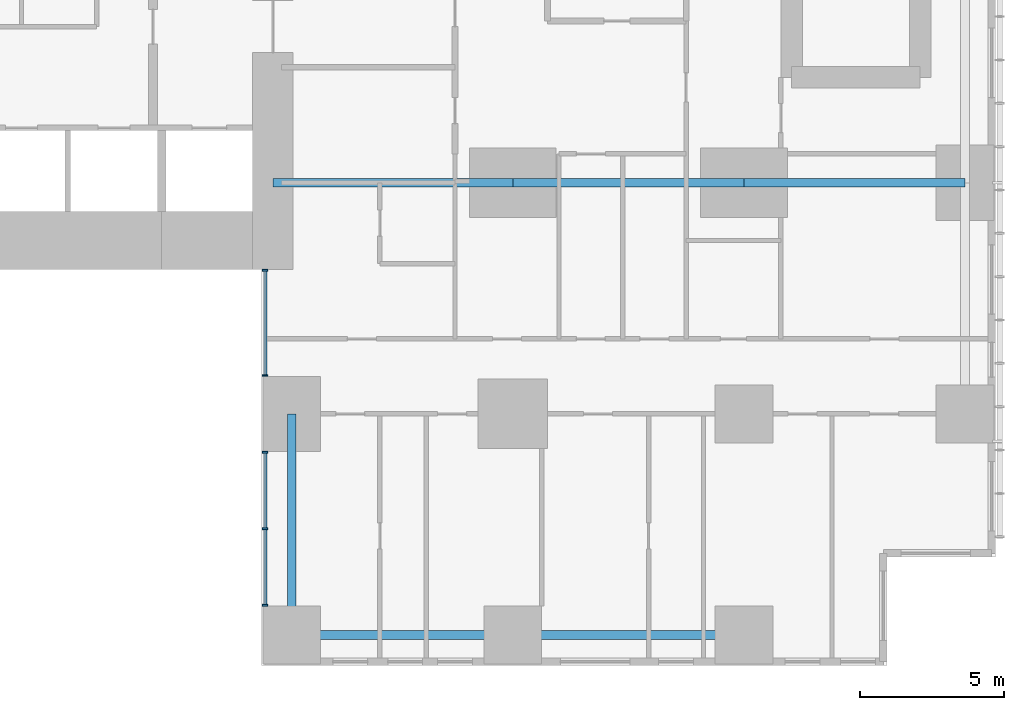
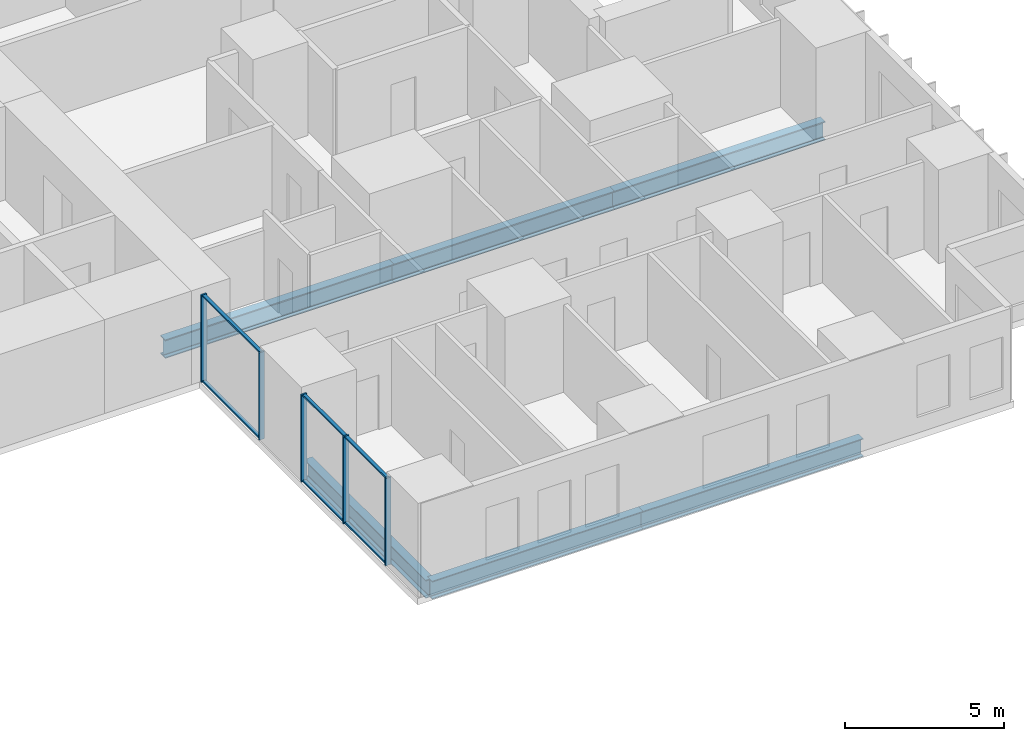
# One storey, part 3 of 20: 11 members, 6 beams, 2 elements without a shape of their own.
"""IFC4 building model written with IfcOpenShell, lengths in metres."""

from ifc_helpers import new_model, si_unit, direction, frame, origin, origin_2d, place, context, subcontext, project, spatial, rectangle, i_section, extrude, material, layer, layer_set, material_profile, profile_set, type_object, element, aggregate, save


model = new_model("IFC4")

# Units and contexts
model_context = context("Model", 3, precision=1e-05, world=origin(), true_north=direction((0.0, 1.0)))
body_context = subcontext(model_context, "Body", "Model", "MODEL_VIEW")
ifc_project = project(units=[si_unit("LENGTHUNIT", "METRE"), si_unit("AREAUNIT", "SQUARE_METRE"), si_unit("VOLUMEUNIT", "CUBIC_METRE"), si_unit("PLANEANGLEUNIT", "RADIAN"), si_unit("MASSUNIT", "GRAM", prefix="KILO")], contexts=[model_context])

# Site, building, storey
site_placement = place(None, origin())
site = spatial("IfcSite", under=ifc_project, at=site_placement, CompositionType="ELEMENT")
building_placement = place(site_placement, origin())
building = spatial("IfcBuilding", under=site, at=building_placement, Name="Cleftline Residences", CompositionType="ELEMENT")
storey_placement = place(building_placement, frame((0.0, 0.0, 83.60009765625)))
storey = spatial("IfcBuildingStorey", under=building, at=storey_placement, Name="L21", CompositionType="ELEMENT", Elevation=83.60009765625)

# Beams
ifc_material_1 = material(Name="Steel S355", Category="steel")
ifc_material_profile_1 = material_profile(ifc_material_1, i_section(OverallWidth=0.300048828125, OverallDepth=0.699951171875, WebThickness=0.01708984375, FlangeThickness=0.031982421875, FilletRadius=0.027099609375, at=origin_2d()))
ifc_profile_set_1 = profile_set([ifc_material_profile_1], Name="Steel S355")
beam_type_1 = type_object("IfcBeamType", Name="BEAM HEB 700", PredefinedType="BEAM", material=ifc_profile_set_1)
beam_1_placement = place(storey_placement, frame((58.0, 0.35009765625, -0.60009765625), z_axis=(-1.0, 0.0, 0.0), x_axis=(0.0, -1.0, 0.0)))
element("IfcBeam", 1, at=beam_1_placement, inside=storey, type_object=beam_type_1, Name="Edge beam", PredefinedType="BEAM", context=body_context, shape_type="SweptSolid", body=[
    extrude(i_section(OverallWidth=0.300048828125, OverallDepth=0.699951171875, WebThickness=0.01708984375, FlangeThickness=0.031982421875, FilletRadius=0.027099609375, at=origin_2d()), origin(), (0.0, 0.0, 1.0), 8.0),
])
for number, where, z_axis, x_axis, name in (
    (2, (50.0, 0.35009765625, -0.60009765625), (-1.0, 0.0, 0.0), (0.0, -1.0, 0.0), "Edge beam"),
    (3, (42.35009765625, 0.35009765625, -0.60009765625), (0.0, 1.0, 0.0), (-1.0, 0.0, 0.0), "Edge beam"),
):
    element("IfcBeam", number, at=place(storey_placement, frame(where, z_axis=z_axis, x_axis=x_axis)), inside=storey, type_object=beam_type_1, Name=name, PredefinedType="BEAM", context=body_context, shape_type="SweptSolid", body=[
        extrude(i_section(OverallWidth=0.300048828125, OverallDepth=0.699951171875, WebThickness=0.01708984375, FlangeThickness=0.031982421875, FilletRadius=0.027099609375, at=origin_2d()), origin(), (0.0, 0.0, 1.0), 7.64990234375),
    ])
ifc_material_2 = material(Name="Steel S355", Category="steel")
ifc_material_profile_2 = material_profile(ifc_material_2, i_section(OverallWidth=0.303955078125, OverallDepth=0.716064453125, WebThickness=0.02099609375, FlangeThickness=0.0400390625, FilletRadius=0.027099609375, at=origin_2d()))
ifc_profile_set_2 = profile_set([ifc_material_profile_2], Name="Steel S355")
beam_type_2 = type_object("IfcBeamType", Name="BEAM HEM 700", PredefinedType="BEAM", material=ifc_profile_set_2)
beam_2_placement = place(storey_placement, frame((65.64990234375, 16.0, -0.608154296875), z_axis=(-1.0, 0.0, 0.0), x_axis=(0.0, -1.0, 0.0)))
element("IfcBeam", 4, at=beam_2_placement, inside=storey, type_object=beam_type_2, Name="Band beam", PredefinedType="BEAM", context=body_context, shape_type="SweptSolid", body=[
    extrude(i_section(OverallWidth=0.303955078125, OverallDepth=0.716064453125, WebThickness=0.02099609375, FlangeThickness=0.0400390625, FilletRadius=0.027099609375, at=origin_2d()), origin(), (0.0, 0.0, 1.0), 7.64990234375),
])
beam_3_placement = place(storey_placement, frame((58.0, 16.0, -0.608154296875), z_axis=(-1.0, 0.0, 0.0), x_axis=(0.0, -1.0, 0.0)))
element("IfcBeam", 5, at=beam_3_placement, inside=storey, type_object=beam_type_2, Name="Band beam", PredefinedType="BEAM", context=body_context, shape_type="SweptSolid", body=[
    extrude(i_section(OverallWidth=0.303955078125, OverallDepth=0.716064453125, WebThickness=0.02099609375, FlangeThickness=0.0400390625, FilletRadius=0.027099609375, at=origin_2d()), origin(), (0.0, 0.0, 1.0), 8.0),
])
beam_4_placement = place(storey_placement, frame((50.0, 16.0, -0.608154296875), z_axis=(-1.0, 0.0, 0.0), x_axis=(0.0, -1.0, 0.0)))
element("IfcBeam", 6, at=beam_4_placement, inside=storey, type_object=beam_type_2, Name="Band beam", PredefinedType="BEAM", context=body_context, shape_type="SweptSolid", body=[
    extrude(i_section(OverallWidth=0.303955078125, OverallDepth=0.716064453125, WebThickness=0.02099609375, FlangeThickness=0.0400390625, FilletRadius=0.027099609375, at=origin_2d()), origin(), (0.0, 0.0, 1.0), 8.300048828125),
])

# Curtain wall, members
ifc_material_3 = material(Name="Aluminium framed curtain wall", Category="aluminium")
ifc_layer = layer(ifc_material_3, 0.199951171875)
ifc_layer_set = layer_set([ifc_layer], Name="CW1 CLEFT GLAZING")
curtain_wall_type = type_object("IfcCurtainWallType", Name="CW1 CLEFT GLAZING", PredefinedType="NOTDEFINED", material=ifc_layer_set)
curtain_wall_1_placement = place(storey_placement, origin())
curtain_wall_1 = element("IfcCurtainWall", 7, at=curtain_wall_1_placement, inside=storey, type_object=curtain_wall_type, Name="Curtain wall CW1", PredefinedType="NOTDEFINED")
ifc_material_4 = material(Name="Aluminium mullion", Category="aluminium")
ifc_material_profile_3 = material_profile(ifc_material_4, rectangle(XDim=0.199951171875, YDim=0.06005859375, at=origin_2d()))
ifc_profile_set_3 = profile_set([ifc_material_profile_3], Name="Aluminium mullion")
member_type_1 = type_object("IfcMemberType", Name="CW1 MULLION", PredefinedType="MULLION", material=ifc_profile_set_3)
member_1_placement = place(storey_placement, frame((41.425048828125, 12.969970703125, 0.0), z_axis=(0.0, 0.0, 1.0), x_axis=(1.0, 0.0, 0.0)))
member_1 = element("IfcMember", 8, at=member_1_placement, type_object=member_type_1, Name="CW1 mullion 1", PredefinedType="MULLION", context=body_context, shape_type="SweptSolid", body=[
    extrude(rectangle(XDim=0.199951171875, YDim=0.06005859375, at=origin_2d()), origin(), (0.0, 0.0, 1.0), 3.349853515625),
])
member_2_placement = place(storey_placement, frame((41.425048828125, 9.330078125, 0.0), z_axis=(0.0, 0.0, 1.0), x_axis=(1.0, 0.0, 0.0)))
member_2 = element("IfcMember", 9, at=member_2_placement, type_object=member_type_1, Name="CW1 mullion 2", PredefinedType="MULLION", context=body_context, shape_type="SweptSolid", body=[
    extrude(rectangle(XDim=0.199951171875, YDim=0.06005859375, at=origin_2d()), origin(), (0.0, 0.0, 1.0), 3.349853515625),
])

curtain_wall_2_placement = place(storey_placement, origin())
curtain_wall_2 = element("IfcCurtainWall", 10, at=curtain_wall_2_placement, inside=storey, type_object=curtain_wall_type, Name="Curtain wall CW1", PredefinedType="NOTDEFINED")
member_3_placement = place(storey_placement, frame((41.425048828125, 6.669921875, 0.0), z_axis=(0.0, 0.0, 1.0), x_axis=(1.0, 0.0, 0.0)))
member_3 = element("IfcMember", 11, at=member_3_placement, type_object=member_type_1, Name="CW1 mullion 1", PredefinedType="MULLION", context=body_context, shape_type="SweptSolid", body=[
    extrude(rectangle(XDim=0.199951171875, YDim=0.06005859375, at=origin_2d()), origin(), (0.0, 0.0, 1.0), 3.349853515625),
])
member_4_placement = place(storey_placement, frame((41.425048828125, 4.02490234375, 0.0), z_axis=(0.0, 0.0, 1.0), x_axis=(1.0, 0.0, 0.0)))
member_4 = element("IfcMember", 12, at=member_4_placement, type_object=member_type_1, Name="CW1 mullion 2", PredefinedType="MULLION", context=body_context, shape_type="SweptSolid", body=[
    extrude(rectangle(XDim=0.199951171875, YDim=0.06005859375, at=origin_2d()), origin(), (0.0, 0.0, 1.0), 3.349853515625),
])
member_5_placement = place(storey_placement, frame((41.425048828125, 1.3798828125, 0.0), z_axis=(0.0, 0.0, 1.0), x_axis=(1.0, 0.0, 0.0)))
member_5 = element("IfcMember", 13, at=member_5_placement, type_object=member_type_1, Name="CW1 mullion 3", PredefinedType="MULLION", context=body_context, shape_type="SweptSolid", body=[
    extrude(rectangle(XDim=0.199951171875, YDim=0.06005859375, at=origin_2d()), origin(), (0.0, 0.0, 1.0), 3.349853515625),
])

# Member
ifc_material_5 = material(Name="Aluminium transom", Category="aluminium")
ifc_material_profile_4 = material_profile(ifc_material_5, rectangle(XDim=0.1201171875, YDim=0.06005859375, at=origin_2d()))
ifc_profile_set_4 = profile_set([ifc_material_profile_4], Name="Aluminium transom")
member_type_2 = type_object("IfcMemberType", Name="CW1 TRANSOM", PredefinedType="USERDEFINED", material=ifc_profile_set_4)
member_6_placement = place(storey_placement, frame((41.425048828125, 12.93994140625, 0.02978515625), z_axis=(0.0, -1.0, 0.0), x_axis=(1.0, 0.0, 0.0)))
member_6 = element("IfcMember", 14, at=member_6_placement, type_object=member_type_2, Name="CW1 transom 1.1", ObjectType="TRANSOM", PredefinedType="USERDEFINED", context=body_context, shape_type="SweptSolid", body=[
    extrude(rectangle(XDim=0.1201171875, YDim=0.06005859375, at=origin_2d()), origin(), (0.0, 0.0, 1.0), 3.579833984375),
])

member_7_placement = place(storey_placement, frame((41.425048828125, 12.93994140625, 3.31982421875), z_axis=(0.0, -1.0, 0.0), x_axis=(1.0, 0.0, 0.0)))
member_7 = element("IfcMember", 15, at=member_7_placement, type_object=member_type_2, Name="CW1 transom 1.2", ObjectType="TRANSOM", PredefinedType="USERDEFINED", context=body_context, shape_type="SweptSolid", body=[
    extrude(rectangle(XDim=0.1201171875, YDim=0.06005859375, at=origin_2d()), origin(), (0.0, 0.0, 1.0), 3.579833984375),
])

aggregate(curtain_wall_1, [member_1, member_2, member_6, member_7])

member_8_placement = place(storey_placement, frame((41.425048828125, 6.639892578125, 0.02978515625), z_axis=(0.0, -1.0, 0.0), x_axis=(1.0, 0.0, 0.0)))
member_8 = element("IfcMember", 16, at=member_8_placement, type_object=member_type_2, Name="CW1 transom 1.1", ObjectType="TRANSOM", PredefinedType="USERDEFINED", context=body_context, shape_type="SweptSolid", body=[
    extrude(rectangle(XDim=0.1201171875, YDim=0.06005859375, at=origin_2d()), origin(), (0.0, 0.0, 1.0), 2.5849609375),
])

member_9_placement = place(storey_placement, frame((41.425048828125, 6.639892578125, 3.31982421875), z_axis=(0.0, -1.0, 0.0), x_axis=(1.0, 0.0, 0.0)))
member_9 = element("IfcMember", 17, at=member_9_placement, type_object=member_type_2, Name="CW1 transom 1.2", ObjectType="TRANSOM", PredefinedType="USERDEFINED", context=body_context, shape_type="SweptSolid", body=[
    extrude(rectangle(XDim=0.1201171875, YDim=0.06005859375, at=origin_2d()), origin(), (0.0, 0.0, 1.0), 2.5849609375),
])

member_10_placement = place(storey_placement, frame((41.425048828125, 3.9951171875, 0.02978515625), z_axis=(0.0, -1.0, 0.0), x_axis=(1.0, 0.0, 0.0)))
member_10 = element("IfcMember", 18, at=member_10_placement, type_object=member_type_2, Name="CW1 transom 2.1", ObjectType="TRANSOM", PredefinedType="USERDEFINED", context=body_context, shape_type="SweptSolid", body=[
    extrude(rectangle(XDim=0.1201171875, YDim=0.06005859375, at=origin_2d()), origin(), (0.0, 0.0, 1.0), 2.585205078125),
])

member_11_placement = place(storey_placement, frame((41.425048828125, 3.9951171875, 3.31982421875), z_axis=(0.0, -1.0, 0.0), x_axis=(1.0, 0.0, 0.0)))
member_11 = element("IfcMember", 19, at=member_11_placement, type_object=member_type_2, Name="CW1 transom 2.2", ObjectType="TRANSOM", PredefinedType="USERDEFINED", context=body_context, shape_type="SweptSolid", body=[
    extrude(rectangle(XDim=0.1201171875, YDim=0.06005859375, at=origin_2d()), origin(), (0.0, 0.0, 1.0), 2.585205078125),
])

aggregate(curtain_wall_2, [member_3, member_4, member_5, member_8, member_9, member_10, member_11])

save(model, "model.ifc")
